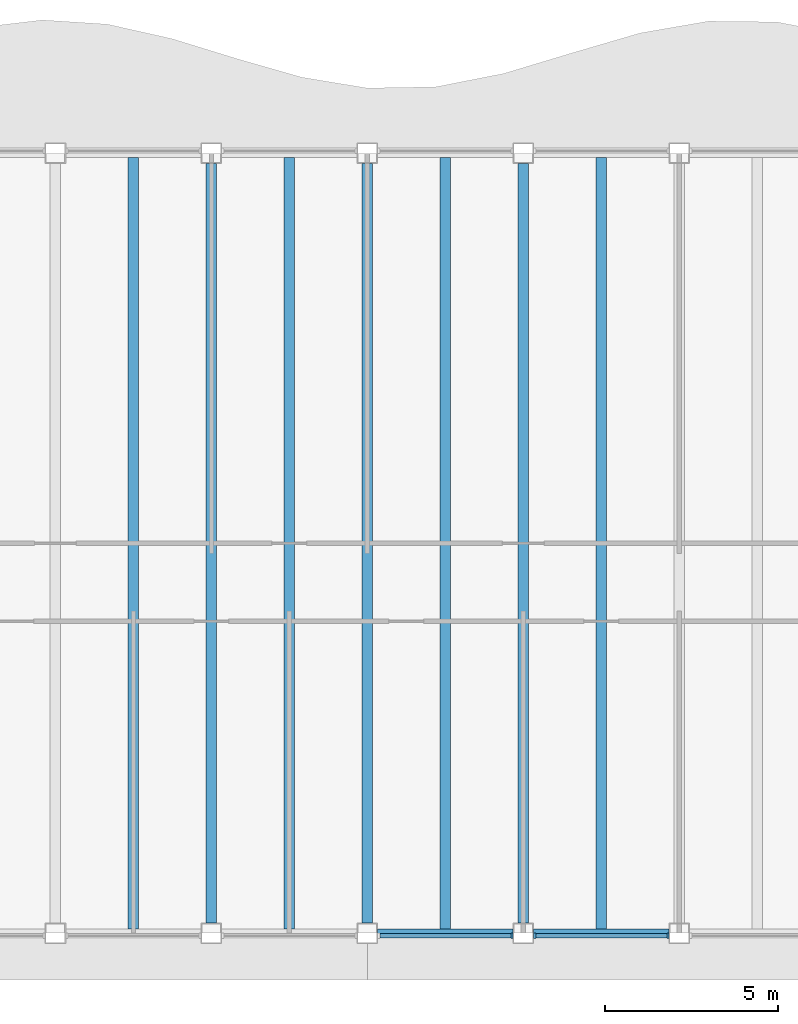
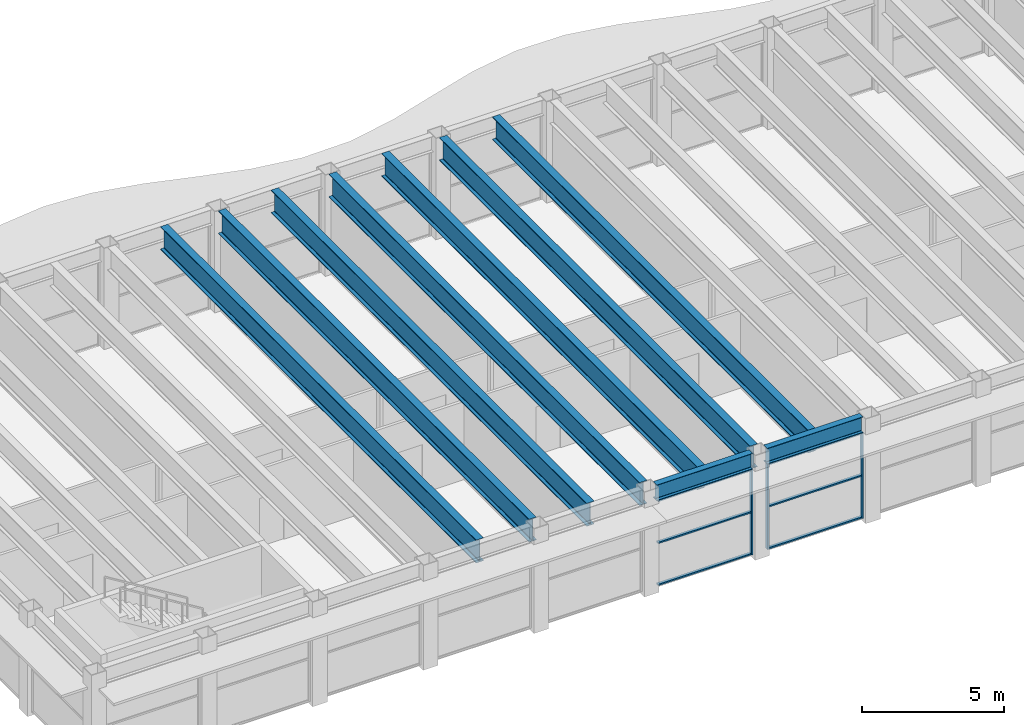
# One storey, part 3 of 14: 9 beams, 9 members, 2 elements without a shape of their own.
"""IFC4 building model written with IfcOpenShell, lengths in metres."""

from ifc_helpers import new_model, si_unit, direction, frame, origin, origin_2d, place, context, subcontext, project, spatial, rectangle, i_section, extrude, material, material_profile, profile_set, type_object, element, aggregate, save


model = new_model("IFC4")

# Units and contexts
model_context = context("Model", 3, precision=1e-05, world=origin(), true_north=direction((0.0, 1.0)))
body_context = subcontext(model_context, "Body", "Model", "MODEL_VIEW")
ifc_project = project(units=[si_unit("LENGTHUNIT", "METRE"), si_unit("AREAUNIT", "SQUARE_METRE"), si_unit("VOLUMEUNIT", "CUBIC_METRE"), si_unit("PLANEANGLEUNIT", "RADIAN"), si_unit("MASSUNIT", "GRAM", prefix="KILO")], contexts=[model_context])

# Site, building, storey
site_placement = place(None, origin())
site = spatial("IfcSite", under=ifc_project, at=site_placement, CompositionType="ELEMENT")
building_placement = place(site_placement, origin())
building = spatial("IfcBuilding", under=site, at=building_placement, Name="Sennacour Bend Tower", CompositionType="ELEMENT")
storey_placement = place(building_placement, frame((0.0, 0.0, 332.0)))
storey = spatial("IfcBuildingStorey", under=building, at=storey_placement, Name="L76", CompositionType="ELEMENT", Elevation=332.0)

# Curtain wall, member
ifc_material_1 = material(Name="Bronze anodised aluminium curtain wall with clear glass", Category="aluminium")
curtain_wall_type = type_object("IfcCurtainWallType", Name="CURTAIN WALL EXEC", PredefinedType="NOTDEFINED", material=ifc_material_1)
curtain_wall_1_placement = place(storey_placement, origin())
curtain_wall_1 = element("IfcCurtainWall", 1, at=curtain_wall_1_placement, inside=storey, type_object=curtain_wall_type, Name="Executive floor glass wall L76", PredefinedType="NOTDEFINED")
ifc_material_2 = material(Name="Aluminium 6063-T6", Category="aluminium")
ifc_material_profile_1 = material_profile(ifc_material_2, rectangle(XDim=0.14990234375, YDim=0.06005859375, at=origin_2d()), Name="Aluminium 6063-T6", Category="aluminium")
ifc_profile_set_1 = profile_set([ifc_material_profile_1], Name="Aluminium 6063-T6")
member_type_1 = type_object("IfcMemberType", Name="CW-MULLION-150X60", PredefinedType="MULLION", material=ifc_profile_set_1)
member_1_placement = place(storey_placement, frame((26.669921875, -0.074951171875, 0.0), z_axis=(0.0, 0.0, 1.0), x_axis=(0.0, 1.0, 0.0)))
member_1 = element("IfcMember", 2, at=member_1_placement, type_object=member_type_1, Name="GW3 curtain wall mullion 2", PredefinedType="MULLION", context=body_context, shape_type="SweptSolid", body=[
    extrude(rectangle(XDim=0.14990234375, YDim=0.06005859375, at=origin_2d()), origin(), (0.0, 0.0, 1.0), 3.672119140625),
])

# Curtain wall, members
curtain_wall_2_placement = place(storey_placement, origin())
curtain_wall_2 = element("IfcCurtainWall", 3, at=curtain_wall_2_placement, inside=storey, type_object=curtain_wall_type, Name="Executive floor glass wall L76", PredefinedType="NOTDEFINED")
member_2_placement = place(storey_placement, frame((27.330078125, -0.074951171875, 0.0), z_axis=(0.0, 0.0, 1.0), x_axis=(0.0, 1.0, 0.0)))
member_2 = element("IfcMember", 4, at=member_2_placement, type_object=member_type_1, Name="GW3 curtain wall mullion 1", PredefinedType="MULLION", context=body_context, shape_type="SweptSolid", body=[
    extrude(rectangle(XDim=0.14990234375, YDim=0.06005859375, at=origin_2d()), origin(), (0.0, 0.0, 1.0), 3.672119140625),
])
member_3_placement = place(storey_placement, frame((31.169921875, -0.074951171875, 0.0), z_axis=(0.0, 0.0, 1.0), x_axis=(0.0, 1.0, 0.0)))
member_3 = element("IfcMember", 5, at=member_3_placement, type_object=member_type_1, Name="GW3 curtain wall mullion 2", PredefinedType="MULLION", context=body_context, shape_type="SweptSolid", body=[
    extrude(rectangle(XDim=0.14990234375, YDim=0.06005859375, at=origin_2d()), origin(), (0.0, 0.0, 1.0), 3.672119140625),
])

# Member
ifc_material_profile_2 = material_profile(ifc_material_2, rectangle(XDim=0.1201171875, YDim=0.06005859375, at=origin_2d()), Name="Aluminium 6063-T6", Category="aluminium")
ifc_profile_set_2 = profile_set([ifc_material_profile_2], Name="Aluminium 6063-T6")
member_type_2 = type_object("IfcMemberType", Name="CW-TRANSOM-120X60", PredefinedType="USERDEFINED", material=ifc_profile_set_2)
member_4_placement = place(storey_placement, frame((22.860107421875, -0.074951171875, 0.030029296875), z_axis=(1.0, 0.0, 0.0), x_axis=(0.0, 1.0, 0.0)))
member_4 = element("IfcMember", 6, at=member_4_placement, type_object=member_type_2, Name="GW3 curtain wall transom 1.1", ObjectType="TRANSOM", PredefinedType="USERDEFINED", context=body_context, shape_type="SweptSolid", body=[
    extrude(rectangle(XDim=0.1201171875, YDim=0.06005859375, at=origin_2d()), origin(), (0.0, 0.0, 1.0), 3.77978515625),
])

member_5_placement = place(storey_placement, frame((22.860107421875, -0.074951171875, 1.8359375), z_axis=(1.0, 0.0, 0.0), x_axis=(0.0, 1.0, 0.0)))
member_5 = element("IfcMember", 7, at=member_5_placement, type_object=member_type_2, Name="GW3 curtain wall transom 1.2", ObjectType="TRANSOM", PredefinedType="USERDEFINED", context=body_context, shape_type="SweptSolid", body=[
    extrude(rectangle(XDim=0.1201171875, YDim=0.06005859375, at=origin_2d()), origin(), (0.0, 0.0, 1.0), 3.77978515625),
])

member_6_placement = place(storey_placement, frame((22.860107421875, -0.074951171875, 3.64208984375), z_axis=(1.0, 0.0, 0.0), x_axis=(0.0, 1.0, 0.0)))
member_6 = element("IfcMember", 8, at=member_6_placement, type_object=member_type_2, Name="GW3 curtain wall transom 1.3", ObjectType="TRANSOM", PredefinedType="USERDEFINED", context=body_context, shape_type="SweptSolid", body=[
    extrude(rectangle(XDim=0.1201171875, YDim=0.06005859375, at=origin_2d()), origin(), (0.0, 0.0, 1.0), 3.77978515625),
])

aggregate(curtain_wall_1, [member_1, member_4, member_5, member_6])

member_7_placement = place(storey_placement, frame((27.360107421875, -0.074951171875, 0.030029296875), z_axis=(1.0, 0.0, 0.0), x_axis=(0.0, 1.0, 0.0)))
member_7 = element("IfcMember", 9, at=member_7_placement, type_object=member_type_2, Name="GW3 curtain wall transom 1.1", ObjectType="TRANSOM", PredefinedType="USERDEFINED", context=body_context, shape_type="SweptSolid", body=[
    extrude(rectangle(XDim=0.1201171875, YDim=0.06005859375, at=origin_2d()), origin(), (0.0, 0.0, 1.0), 3.77978515625),
])

member_8_placement = place(storey_placement, frame((27.360107421875, -0.074951171875, 1.8359375), z_axis=(1.0, 0.0, 0.0), x_axis=(0.0, 1.0, 0.0)))
member_8 = element("IfcMember", 10, at=member_8_placement, type_object=member_type_2, Name="GW3 curtain wall transom 1.2", ObjectType="TRANSOM", PredefinedType="USERDEFINED", context=body_context, shape_type="SweptSolid", body=[
    extrude(rectangle(XDim=0.1201171875, YDim=0.06005859375, at=origin_2d()), origin(), (0.0, 0.0, 1.0), 3.77978515625),
])

member_9_placement = place(storey_placement, frame((27.360107421875, -0.074951171875, 3.64208984375), z_axis=(1.0, 0.0, 0.0), x_axis=(0.0, 1.0, 0.0)))
member_9 = element("IfcMember", 11, at=member_9_placement, type_object=member_type_2, Name="GW3 curtain wall transom 1.3", ObjectType="TRANSOM", PredefinedType="USERDEFINED", context=body_context, shape_type="SweptSolid", body=[
    extrude(rectangle(XDim=0.1201171875, YDim=0.06005859375, at=origin_2d()), origin(), (0.0, 0.0, 1.0), 3.77978515625),
])

aggregate(curtain_wall_2, [member_2, member_3, member_7, member_8, member_9])

# Beams
ifc_material_3 = material(Name="Steel ASTM A992 Grade 50", Category="steel")
ifc_material_profile_3 = material_profile(ifc_material_3, i_section(OverallWidth=0.300048828125, OverallDepth=0.990966796875, WebThickness=0.0166015625, FlangeThickness=0.030517578125, FilletRadius=0.030029296875, at=origin_2d()), Name="Steel ASTM A992 Grade 50", Category="steel")
ifc_profile_set_3 = profile_set([ifc_material_profile_3], Name="Steel ASTM A992 Grade 50")
beam_type_1 = type_object("IfcBeamType", Name="Floor beam W1000X272", PredefinedType="BEAM", material=ifc_profile_set_3)
beam_1_placement = place(storey_placement, frame((15.75, 0.126953125, 3.8544921875), z_axis=(0.0, 1.0, 0.0), x_axis=(-1.0, 0.0, 0.0)))
element("IfcBeam", 12, at=beam_1_placement, inside=storey, type_object=beam_type_1, Name="Floor beam FBM3 L77-007", PredefinedType="BEAM", context=body_context, shape_type="SweptSolid", body=[
    extrude(i_section(OverallWidth=0.300048828125, OverallDepth=0.990966796875, WebThickness=0.0166015625, FlangeThickness=0.030517578125, FilletRadius=0.030029296875, at=origin_2d()), origin(), (0.0, 0.0, 1.0), 22.24609375),
])
beam_2_placement = place(storey_placement, frame((18.0, 0.300048828125, 3.8544921875), z_axis=(0.0, 1.0, 0.0), x_axis=(-1.0, 0.0, 0.0)))
element("IfcBeam", 13, at=beam_2_placement, inside=storey, type_object=beam_type_1, Name="Floor beam FBM3 L77-008", PredefinedType="BEAM", context=body_context, shape_type="SweptSolid", body=[
    extrude(i_section(OverallWidth=0.300048828125, OverallDepth=0.990966796875, WebThickness=0.0166015625, FlangeThickness=0.030517578125, FilletRadius=0.030029296875, at=origin_2d()), origin(), (0.0, 0.0, 1.0), 21.89990234375),
])
beam_3_placement = place(storey_placement, frame((20.25, 0.126953125, 3.8544921875), z_axis=(0.0, 1.0, 0.0), x_axis=(-1.0, 0.0, 0.0)))
element("IfcBeam", 14, at=beam_3_placement, inside=storey, type_object=beam_type_1, Name="Floor beam FBM3 L77-009", PredefinedType="BEAM", context=body_context, shape_type="SweptSolid", body=[
    extrude(i_section(OverallWidth=0.300048828125, OverallDepth=0.990966796875, WebThickness=0.0166015625, FlangeThickness=0.030517578125, FilletRadius=0.030029296875, at=origin_2d()), origin(), (0.0, 0.0, 1.0), 22.24609375),
])
beam_4_placement = place(storey_placement, frame((22.5, 0.300048828125, 3.8544921875), z_axis=(0.0, 1.0, 0.0), x_axis=(-1.0, 0.0, 0.0)))
element("IfcBeam", 15, at=beam_4_placement, inside=storey, type_object=beam_type_1, Name="Floor beam FBM3 L77-010", PredefinedType="BEAM", context=body_context, shape_type="SweptSolid", body=[
    extrude(i_section(OverallWidth=0.300048828125, OverallDepth=0.990966796875, WebThickness=0.0166015625, FlangeThickness=0.030517578125, FilletRadius=0.030029296875, at=origin_2d()), origin(), (0.0, 0.0, 1.0), 21.89990234375),
])
beam_5_placement = place(storey_placement, frame((24.75, 0.126953125, 3.8544921875), z_axis=(0.0, 1.0, 0.0), x_axis=(-1.0, 0.0, 0.0)))
element("IfcBeam", 16, at=beam_5_placement, inside=storey, type_object=beam_type_1, Name="Floor beam FBM3 L77-011", PredefinedType="BEAM", context=body_context, shape_type="SweptSolid", body=[
    extrude(i_section(OverallWidth=0.300048828125, OverallDepth=0.990966796875, WebThickness=0.0166015625, FlangeThickness=0.030517578125, FilletRadius=0.030029296875, at=origin_2d()), origin(), (0.0, 0.0, 1.0), 22.24609375),
])
beam_6_placement = place(storey_placement, frame((27.0, 0.300048828125, 3.8544921875), z_axis=(0.0, 1.0, 0.0), x_axis=(-1.0, 0.0, 0.0)))
element("IfcBeam", 17, at=beam_6_placement, inside=storey, type_object=beam_type_1, Name="Floor beam FBM3 L77-012", PredefinedType="BEAM", context=body_context, shape_type="SweptSolid", body=[
    extrude(i_section(OverallWidth=0.300048828125, OverallDepth=0.990966796875, WebThickness=0.0166015625, FlangeThickness=0.030517578125, FilletRadius=0.030029296875, at=origin_2d()), origin(), (0.0, 0.0, 1.0), 21.89990234375),
])
beam_7_placement = place(storey_placement, frame((29.25, 0.126953125, 3.8544921875), z_axis=(0.0, 1.0, 0.0), x_axis=(-1.0, 0.0, 0.0)))
element("IfcBeam", 18, at=beam_7_placement, inside=storey, type_object=beam_type_1, Name="Floor beam FBM3 L77-013", PredefinedType="BEAM", context=body_context, shape_type="SweptSolid", body=[
    extrude(i_section(OverallWidth=0.300048828125, OverallDepth=0.990966796875, WebThickness=0.0166015625, FlangeThickness=0.030517578125, FilletRadius=0.030029296875, at=origin_2d()), origin(), (0.0, 0.0, 1.0), 22.24609375),
])
ifc_material_profile_4 = material_profile(ifc_material_3, i_section(OverallWidth=0.25390625, OverallDepth=0.677978515625, WebThickness=0.01171875, FlangeThickness=0.016357421875, FilletRadius=0.01513671875, at=origin_2d()), Name="Steel ASTM A992 Grade 50", Category="steel")
ifc_profile_set_4 = profile_set([ifc_material_profile_4], Name="Steel ASTM A992 Grade 50")
beam_type_2 = type_object("IfcBeamType", Name="Spandrel beam W690X125", PredefinedType="SPANDREL", material=ifc_profile_set_4)
for number, where, z_axis, x_axis, name in (
    (19, (31.199951171875, 0.0, 4.010986328125), (-1.0, 0.0, 0.0), (0.0, -1.0, 0.0), "Spandrel beam SP7 L77-023"),
    (20, (26.699951171875, 0.0, 4.010986328125), (-1.0, 0.0, 0.0), (0.0, -1.0, 0.0), "Spandrel beam SP7 L77-024"),
):
    element("IfcBeam", number, at=place(storey_placement, frame(where, z_axis=z_axis, x_axis=x_axis)), inside=storey, type_object=beam_type_2, Name=name, PredefinedType="SPANDREL", context=body_context, shape_type="SweptSolid", body=[
        extrude(i_section(OverallWidth=0.25390625, OverallDepth=0.677978515625, WebThickness=0.01171875, FlangeThickness=0.016357421875, FilletRadius=0.01513671875, at=origin_2d()), origin(), (0.0, 0.0, 1.0), 3.89990234375),
    ])

save(model, "model.ifc")
